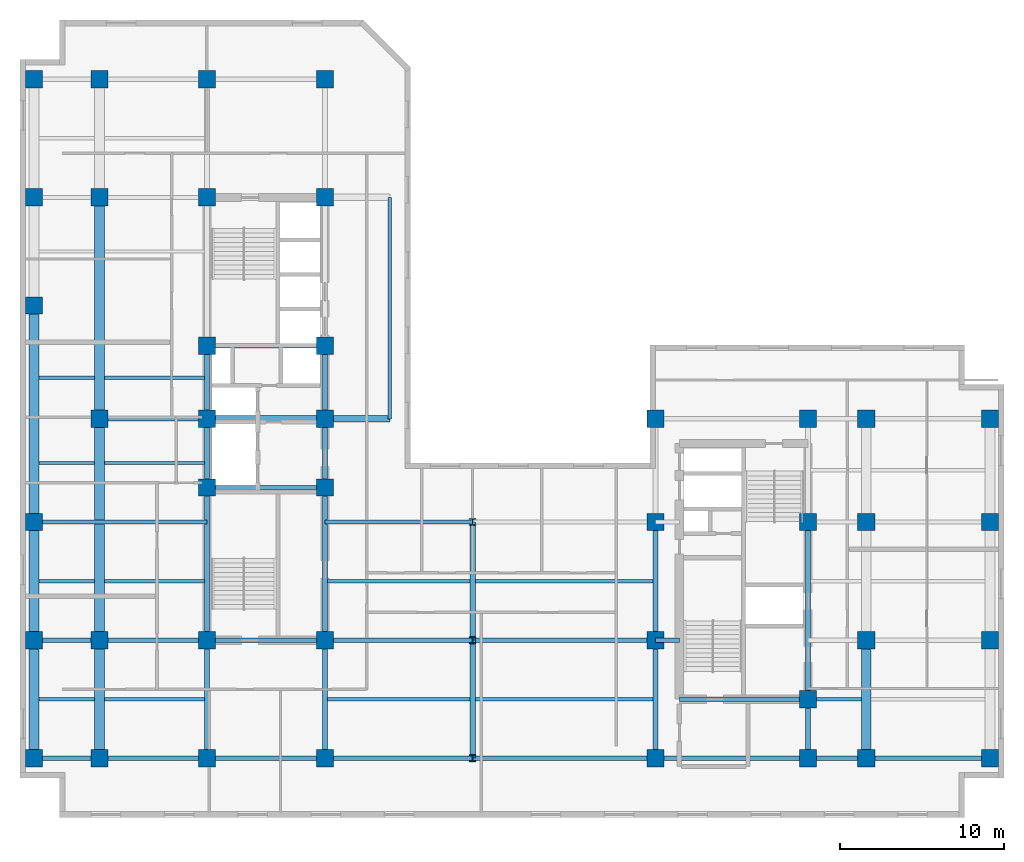
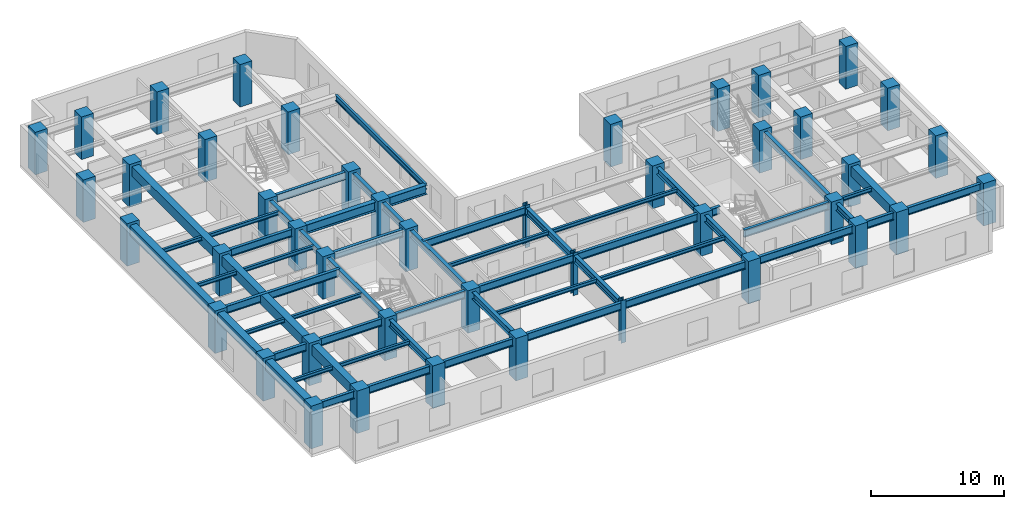
# One storey, part 1 of 9: 56 beams, 44 columns.
"""IFC4 building model written with IfcOpenShell, lengths in metres."""

from ifc_helpers import new_model, entity, si_unit, converted_unit, direction, frame, origin_with_axes, origin_2d_with_axis, place, context, subcontext, project, spatial, rectangle, i_section, extrude, material, material_profile, profile_set, type_object, element, save


model = new_model("IFC4")

# Units and contexts
model_context = context("Model", 3, precision=1e-05, world=origin_with_axes(), true_north=direction((0.0, 1.0)))
body_context = subcontext(model_context, "Body", "Model", "MODEL_VIEW")
ifc_project = project(units=[si_unit("LENGTHUNIT", "METRE"), si_unit("AREAUNIT", "SQUARE_METRE"), si_unit("VOLUMEUNIT", "CUBIC_METRE"), converted_unit("PLANEANGLEUNIT", "DEGREE", entity("IfcPlaneAngleMeasure", 0.017453292519943295), si_unit("PLANEANGLEUNIT", "RADIAN"), dimensions=[0, 0, 0, 0, 0, 0, 0]), si_unit("MASSUNIT", "GRAM", prefix="KILO"), si_unit("THERMODYNAMICTEMPERATUREUNIT", "KELVIN")], contexts=[model_context])

# Site, building, storey
site_placement = place(None, origin_with_axes())
site = spatial("IfcSite", under=ifc_project, at=site_placement, CompositionType="ELEMENT")
building_placement = place(site_placement, origin_with_axes())
building = spatial("IfcBuilding", under=site, at=building_placement, Name="Varnlund Millrace Tower", CompositionType="ELEMENT")
storey_placement = place(building_placement, frame((0.0, 0.0, 164.1), z_axis=(0.0, 0.0, 1.0), x_axis=(1.0, 0.0, 0.0)))
storey = spatial("IfcBuildingStorey", under=building, at=storey_placement, Name="L40", CompositionType="ELEMENT", Elevation=164.1)

# Columns
ifc_material_1 = material(Name="Steel ASTM A913 Grade 65", Category="steel")
ifc_material_profile_1 = material_profile(ifc_material_1, i_section(OverallWidth=0.406, OverallDepth=0.416, WebThickness=0.0298, FlangeThickness=0.048, FilletRadius=0.022, at=origin_2d_with_axis()), Name="Steel ASTM A913 Grade 65")
ifc_profile_set_1 = profile_set([ifc_material_profile_1], Name="Steel ASTM A913 Grade 65")
column_type_1 = type_object("IfcColumnType", Name="Type-Col-Int-W14X257", PredefinedType="COLUMN", material=ifc_profile_set_1)
for number, where, z_axis, x_axis, name in (
    (1, (27.6, 3.6, 0.0), (0.0, 0.0, 1.0), (1.0, 0.0, 0.0), "Type-Col-Int-W14X257"),
    (2, (27.6, 10.8, 0.0), (0.0, 0.0, 1.0), (1.0, 0.0, 0.0), "Type-Col-Int-W14X257"),
    (3, (27.6, 18.0, 0.0), (0.0, 0.0, 1.0), (1.0, 0.0, 0.0), "Type-Col-Int-W14X257"),
):
    element("IfcColumn", number, at=place(storey_placement, frame(where, z_axis=z_axis, x_axis=x_axis)), inside=storey, type_object=column_type_1, Name=name, PredefinedType="COLUMN", context=body_context, shape_type="SweptSolid", body=[
        extrude(i_section(OverallWidth=0.406, OverallDepth=0.416, WebThickness=0.0298, FlangeThickness=0.048, FilletRadius=0.022, at=origin_2d_with_axis()), origin_with_axes(), (0.0, 0.0, 1.0), 3.9),
    ])
ifc_material_2 = material(Name="Concrete C70/85", Category="concrete")
ifc_material_profile_2 = material_profile(ifc_material_2, rectangle(XDim=1.05, YDim=1.05, at=origin_2d_with_axis()), Name="Concrete C70/85")
ifc_profile_set_2 = profile_set([ifc_material_profile_2], Name="Concrete C70/85")
column_type_2 = type_object("IfcColumnType", Name="Type-Col-RC1050-C70", PredefinedType="COLUMN", material=ifc_profile_set_2)
for number, where, z_axis, x_axis, name in (
    (4, (11.4, 3.6, 0.0), (0.0, 0.0, 1.0), (1.0, 0.0, 0.0), "Type-Col-RC1050-C70"),
    (5, (11.4, 10.8, 0.0), (0.0, 0.0, 1.0), (1.0, 0.0, 0.0), "Type-Col-RC1050-C70"),
    (6, (11.4, 20.1, 0.0), (0.0, 0.0, 1.0), (1.0, 0.0, 0.0), "Type-Col-RC1050-C70"),
    (7, (11.4, 24.3, 0.0), (0.0, 0.0, 1.0), (1.0, 0.0, 0.0), "Type-Col-RC1050-C70"),
    (8, (11.4, 28.75, 0.0), (0.0, 0.0, 1.0), (1.0, 0.0, 0.0), "Type-Col-RC1050-C70"),
    (9, (11.4, 37.8, 0.0), (0.0, 0.0, 1.0), (1.0, 0.0, 0.0), "Type-Col-RC1050-C70"),
    (10, (11.4, 45.0, 0.0), (0.0, 0.0, 1.0), (1.0, 0.0, 0.0), "Type-Col-RC1050-C70"),
    (11, (18.6, 3.6, 0.0), (0.0, 0.0, 1.0), (1.0, 0.0, 0.0), "Type-Col-RC1050-C70"),
    (12, (18.6, 10.8, 0.0), (0.0, 0.0, 1.0), (1.0, 0.0, 0.0), "Type-Col-RC1050-C70"),
    (13, (18.6, 20.1, 0.0), (0.0, 0.0, 1.0), (1.0, 0.0, 0.0), "Type-Col-RC1050-C70"),
    (14, (18.6, 24.3, 0.0), (0.0, 0.0, 1.0), (1.0, 0.0, 0.0), "Type-Col-RC1050-C70"),
    (15, (18.6, 28.75, 0.0), (0.0, 0.0, 1.0), (1.0, 0.0, 0.0), "Type-Col-RC1050-C70"),
    (16, (18.6, 37.8, 0.0), (0.0, 0.0, 1.0), (1.0, 0.0, 0.0), "Type-Col-RC1050-C70"),
    (17, (18.6, 45.0, 0.0), (0.0, 0.0, 1.0), (1.0, 0.0, 0.0), "Type-Col-RC1050-C70"),
    (18, (4.85, 3.6, 0.0), (0.0, 0.0, 1.0), (1.0, 0.0, 0.0), "Type-Col-RC1050-C70"),
    (19, (4.85, 10.8, 0.0), (0.0, 0.0, 1.0), (1.0, 0.0, 0.0), "Type-Col-RC1050-C70"),
    (20, (4.85, 24.3, 0.0), (0.0, 0.0, 1.0), (1.0, 0.0, 0.0), "Type-Col-RC1050-C70"),
    (21, (4.85, 37.8, 0.0), (0.0, 0.0, 1.0), (1.0, 0.0, 0.0), "Type-Col-RC1050-C70"),
    (22, (4.85, 45.0, 0.0), (0.0, 0.0, 1.0), (1.0, 0.0, 0.0), "Type-Col-RC1050-C70"),
    (23, (0.85, 3.6, 0.0), (0.0, 0.0, 1.0), (1.0, 0.0, 0.0), "Type-Col-RC1050-C70"),
    (24, (0.85, 10.8, 0.0), (0.0, 0.0, 1.0), (1.0, 0.0, 0.0), "Type-Col-RC1050-C70"),
    (25, (0.85, 18.0, 0.0), (0.0, 0.0, 1.0), (1.0, 0.0, 0.0), "Type-Col-RC1050-C70"),
    (26, (0.85, 31.2, 0.0), (0.0, 0.0, 1.0), (1.0, 0.0, 0.0), "Type-Col-RC1050-C70"),
    (27, (0.85, 37.8, 0.0), (0.0, 0.0, 1.0), (1.0, 0.0, 0.0), "Type-Col-RC1050-C70"),
    (28, (0.85, 45.0, 0.0), (0.0, 0.0, 1.0), (1.0, 0.0, 0.0), "Type-Col-RC1050-C70"),
    (29, (38.75, 3.6, 0.0), (0.0, 0.0, 1.0), (1.0, 0.0, 0.0), "Type-Col-RC1050-C70"),
    (30, (38.75, 10.8, 0.0), (0.0, 0.0, 1.0), (1.0, 0.0, 0.0), "Type-Col-RC1050-C70"),
    (31, (38.75, 18.0, 0.0), (0.0, 0.0, 1.0), (1.0, 0.0, 0.0), "Type-Col-RC1050-C70"),
    (32, (38.75, 24.3, 0.0), (0.0, 0.0, 1.0), (1.0, 0.0, 0.0), "Type-Col-RC1050-C70"),
    (33, (48.05, 3.6, 0.0), (0.0, 0.0, 1.0), (1.0, 0.0, 0.0), "Type-Col-RC1050-C70"),
    (34, (48.05, 7.2, 0.0), (0.0, 0.0, 1.0), (1.0, 0.0, 0.0), "Type-Col-RC1050-C70"),
    (35, (48.05, 18.0, 0.0), (0.0, 0.0, 1.0), (1.0, 0.0, 0.0), "Type-Col-RC1050-C70"),
    (36, (48.05, 24.3, 0.0), (0.0, 0.0, 1.0), (1.0, 0.0, 0.0), "Type-Col-RC1050-C70"),
    (37, (51.6, 3.6, 0.0), (0.0, 0.0, 1.0), (1.0, 0.0, 0.0), "Type-Col-RC1050-C70"),
    (38, (51.6, 10.8, 0.0), (0.0, 0.0, 1.0), (1.0, 0.0, 0.0), "Type-Col-RC1050-C70"),
    (39, (51.6, 18.0, 0.0), (0.0, 0.0, 1.0), (1.0, 0.0, 0.0), "Type-Col-RC1050-C70"),
    (40, (51.6, 24.3, 0.0), (0.0, 0.0, 1.0), (1.0, 0.0, 0.0), "Type-Col-RC1050-C70"),
    (41, (59.15, 3.6, 0.0), (0.0, 0.0, 1.0), (1.0, 0.0, 0.0), "Type-Col-RC1050-C70"),
    (42, (59.15, 10.8, 0.0), (0.0, 0.0, 1.0), (1.0, 0.0, 0.0), "Type-Col-RC1050-C70"),
    (43, (59.15, 18.0, 0.0), (0.0, 0.0, 1.0), (1.0, 0.0, 0.0), "Type-Col-RC1050-C70"),
    (44, (59.15, 24.3, 0.0), (0.0, 0.0, 1.0), (1.0, 0.0, 0.0), "Type-Col-RC1050-C70"),
):
    element("IfcColumn", number, at=place(storey_placement, frame(where, z_axis=z_axis, x_axis=x_axis)), inside=storey, type_object=column_type_2, Name=name, PredefinedType="COLUMN", context=body_context, shape_type="SweptSolid", body=[
        extrude(rectangle(XDim=1.05, YDim=1.05, at=origin_2d_with_axis()), origin_with_axes(), (0.0, 0.0, 1.0), 3.9),
    ])

# Beams
ifc_material_3 = material(Name="Steel ASTM A992 Grade 50", Category="steel")
ifc_material_profile_3 = material_profile(ifc_material_3, i_section(OverallWidth=0.209, OverallDepth=0.533, WebThickness=0.0102, FlangeThickness=0.0156, FilletRadius=0.014, at=origin_2d_with_axis()), Name="Steel ASTM A992 Grade 50")
ifc_profile_set_3 = profile_set([ifc_material_profile_3], Name="Steel ASTM A992 Grade 50")
beam_type_1 = type_object("IfcBeamType", Name="Type-Beam-W21X62", PredefinedType="BEAM", material=ifc_profile_set_3)
beam_1_placement = place(storey_placement, frame((22.55, 24.3, 3.3935), z_axis=(0.0, 1.0, 0.0), x_axis=(-1.0, 0.0, 0.0)))
element("IfcBeam", 45, at=beam_1_placement, inside=storey, type_object=beam_type_1, Name="Type-Beam-W21X62", PredefinedType="BEAM", context=body_context, shape_type="SweptSolid", body=[
    extrude(i_section(OverallWidth=0.209, OverallDepth=0.533, WebThickness=0.0102, FlangeThickness=0.0156, FilletRadius=0.014, at=origin_2d_with_axis()), origin_with_axes(), (0.0, 0.0, 1.0), 13.5),
])
ifc_material_profile_4 = material_profile(ifc_material_3, i_section(OverallWidth=0.328, OverallDepth=0.628, WebThickness=0.0165, FlangeThickness=0.0277, FilletRadius=0.018, at=origin_2d_with_axis()), Name="Steel ASTM A992 Grade 50")
ifc_profile_set_4 = profile_set([ifc_material_profile_4], Name="Steel ASTM A992 Grade 50")
beam_type_2 = type_object("IfcBeamType", Name="Type-Girder-W24X146", PredefinedType="USERDEFINED", material=ifc_profile_set_4)
beam_2_placement = place(storey_placement, frame((11.4, 3.6, 3.346), z_axis=(0.0, 1.0, 0.0), x_axis=(-1.0, 0.0, 0.0)))
element("IfcBeam", 46, at=beam_2_placement, inside=storey, type_object=beam_type_2, Name="Type-Girder-W24X146", ObjectType="GIRDER", PredefinedType="USERDEFINED", context=body_context, shape_type="SweptSolid", body=[
    extrude(i_section(OverallWidth=0.328, OverallDepth=0.628, WebThickness=0.0165, FlangeThickness=0.0277, FilletRadius=0.018, at=origin_2d_with_axis()), origin_with_axes(), (0.0, 0.0, 1.0), 7.2),
])
beam_3_placement = place(storey_placement, frame((11.4, 10.8, 3.346), z_axis=(0.0, 1.0, 0.0), x_axis=(-1.0, 0.0, 0.0)))
element("IfcBeam", 47, at=beam_3_placement, inside=storey, type_object=beam_type_2, Name="Type-Girder-W24X146", ObjectType="GIRDER", PredefinedType="USERDEFINED", context=body_context, shape_type="SweptSolid", body=[
    extrude(i_section(OverallWidth=0.328, OverallDepth=0.628, WebThickness=0.0165, FlangeThickness=0.0277, FilletRadius=0.018, at=origin_2d_with_axis()), origin_with_axes(), (0.0, 0.0, 1.0), 9.3),
])
beam_4_placement = place(storey_placement, frame((11.4, 20.1, 3.346), z_axis=(0.0, 1.0, 0.0), x_axis=(-1.0, 0.0, 0.0)))
element("IfcBeam", 48, at=beam_4_placement, inside=storey, type_object=beam_type_2, Name="Type-Girder-W24X146", ObjectType="GIRDER", PredefinedType="USERDEFINED", context=body_context, shape_type="SweptSolid", body=[
    extrude(i_section(OverallWidth=0.328, OverallDepth=0.628, WebThickness=0.0165, FlangeThickness=0.0277, FilletRadius=0.018, at=origin_2d_with_axis()), origin_with_axes(), (0.0, 0.0, 1.0), 4.2),
])
beam_5_placement = place(storey_placement, frame((11.4, 24.3, 3.346), z_axis=(0.0, 1.0, 0.0), x_axis=(-1.0, 0.0, 0.0)))
element("IfcBeam", 49, at=beam_5_placement, inside=storey, type_object=beam_type_2, Name="Type-Girder-W24X146", ObjectType="GIRDER", PredefinedType="USERDEFINED", context=body_context, shape_type="SweptSolid", body=[
    extrude(i_section(OverallWidth=0.328, OverallDepth=0.628, WebThickness=0.0165, FlangeThickness=0.0277, FilletRadius=0.018, at=origin_2d_with_axis()), origin_with_axes(), (0.0, 0.0, 1.0), 4.45),
])
beam_6_placement = place(storey_placement, frame((18.6, 3.6, 3.346), z_axis=(0.0, 1.0, 0.0), x_axis=(-1.0, 0.0, 0.0)))
element("IfcBeam", 50, at=beam_6_placement, inside=storey, type_object=beam_type_2, Name="Type-Girder-W24X146", ObjectType="GIRDER", PredefinedType="USERDEFINED", context=body_context, shape_type="SweptSolid", body=[
    extrude(i_section(OverallWidth=0.328, OverallDepth=0.628, WebThickness=0.0165, FlangeThickness=0.0277, FilletRadius=0.018, at=origin_2d_with_axis()), origin_with_axes(), (0.0, 0.0, 1.0), 7.2),
])
beam_7_placement = place(storey_placement, frame((18.6, 10.8, 3.346), z_axis=(0.0, 1.0, 0.0), x_axis=(-1.0, 0.0, 0.0)))
element("IfcBeam", 51, at=beam_7_placement, inside=storey, type_object=beam_type_2, Name="Type-Girder-W24X146", ObjectType="GIRDER", PredefinedType="USERDEFINED", context=body_context, shape_type="SweptSolid", body=[
    extrude(i_section(OverallWidth=0.328, OverallDepth=0.628, WebThickness=0.0165, FlangeThickness=0.0277, FilletRadius=0.018, at=origin_2d_with_axis()), origin_with_axes(), (0.0, 0.0, 1.0), 9.3),
])
beam_8_placement = place(storey_placement, frame((18.6, 20.1, 3.346), z_axis=(0.0, 1.0, 0.0), x_axis=(-1.0, 0.0, 0.0)))
element("IfcBeam", 52, at=beam_8_placement, inside=storey, type_object=beam_type_2, Name="Type-Girder-W24X146", ObjectType="GIRDER", PredefinedType="USERDEFINED", context=body_context, shape_type="SweptSolid", body=[
    extrude(i_section(OverallWidth=0.328, OverallDepth=0.628, WebThickness=0.0165, FlangeThickness=0.0277, FilletRadius=0.018, at=origin_2d_with_axis()), origin_with_axes(), (0.0, 0.0, 1.0), 4.2),
])
beam_9_placement = place(storey_placement, frame((18.6, 24.3, 3.346), z_axis=(0.0, 1.0, 0.0), x_axis=(-1.0, 0.0, 0.0)))
element("IfcBeam", 53, at=beam_9_placement, inside=storey, type_object=beam_type_2, Name="Type-Girder-W24X146", ObjectType="GIRDER", PredefinedType="USERDEFINED", context=body_context, shape_type="SweptSolid", body=[
    extrude(i_section(OverallWidth=0.328, OverallDepth=0.628, WebThickness=0.0165, FlangeThickness=0.0277, FilletRadius=0.018, at=origin_2d_with_axis()), origin_with_axes(), (0.0, 0.0, 1.0), 4.45),
])
for number, where, z_axis, x_axis, name in (
    (54, (27.6, 3.6, 3.346), (0.0, 1.0, 0.0), (-1.0, 0.0, 0.0), "Type-Girder-W24X146"),
    (55, (27.6, 10.8, 3.346), (0.0, 1.0, 0.0), (-1.0, 0.0, 0.0), "Type-Girder-W24X146"),
    (56, (38.75, 3.6, 3.346), (0.0, 1.0, 0.0), (-1.0, 0.0, 0.0), "Type-Girder-W24X146"),
    (57, (38.75, 10.8, 3.346), (0.0, 1.0, 0.0), (-1.0, 0.0, 0.0), "Type-Girder-W24X146"),
):
    element("IfcBeam", number, at=place(storey_placement, frame(where, z_axis=z_axis, x_axis=x_axis)), inside=storey, type_object=beam_type_2, Name=name, ObjectType="GIRDER", PredefinedType="USERDEFINED", context=body_context, shape_type="SweptSolid", body=[
        extrude(i_section(OverallWidth=0.328, OverallDepth=0.628, WebThickness=0.0165, FlangeThickness=0.0277, FilletRadius=0.018, at=origin_2d_with_axis()), origin_with_axes(), (0.0, 0.0, 1.0), 7.2),
    ])
beam_10_placement = place(storey_placement, frame((48.05, 3.6, 3.346), z_axis=(0.0, 1.0, 0.0), x_axis=(-1.0, 0.0, 0.0)))
element("IfcBeam", 58, at=beam_10_placement, inside=storey, type_object=beam_type_2, Name="Type-Girder-W24X146", ObjectType="GIRDER", PredefinedType="USERDEFINED", context=body_context, shape_type="SweptSolid", body=[
    extrude(i_section(OverallWidth=0.328, OverallDepth=0.628, WebThickness=0.0165, FlangeThickness=0.0277, FilletRadius=0.018, at=origin_2d_with_axis()), origin_with_axes(), (0.0, 0.0, 1.0), 3.6),
])
beam_11_placement = place(storey_placement, frame((48.05, 7.2, 3.346), z_axis=(0.0, 1.0, 0.0), x_axis=(-1.0, 0.0, 0.0)))
element("IfcBeam", 59, at=beam_11_placement, inside=storey, type_object=beam_type_2, Name="Type-Girder-W24X146", ObjectType="GIRDER", PredefinedType="USERDEFINED", context=body_context, shape_type="SweptSolid", body=[
    extrude(i_section(OverallWidth=0.328, OverallDepth=0.628, WebThickness=0.0165, FlangeThickness=0.0277, FilletRadius=0.018, at=origin_2d_with_axis()), origin_with_axes(), (0.0, 0.0, 1.0), 10.8),
])
ifc_material_profile_5 = material_profile(ifc_material_3, i_section(OverallWidth=0.256, OverallDepth=0.693, WebThickness=0.0145, FlangeThickness=0.0236, FilletRadius=0.018, at=origin_2d_with_axis()), Name="Steel ASTM A992 Grade 50")
ifc_profile_set_5 = profile_set([ifc_material_profile_5], Name="Steel ASTM A992 Grade 50")
beam_type_3 = type_object("IfcBeamType", Name="Type-Girder-W27X114", PredefinedType="USERDEFINED", material=ifc_profile_set_5)
beam_12_placement = place(storey_placement, frame((0.85, 3.6, 3.3135), z_axis=(1.0, 0.0, 0.0), x_axis=(0.0, 1.0, 0.0)))
element("IfcBeam", 60, at=beam_12_placement, inside=storey, type_object=beam_type_3, Name="Type-Girder-W27X114", ObjectType="GIRDER", PredefinedType="USERDEFINED", context=body_context, shape_type="SweptSolid", body=[
    extrude(i_section(OverallWidth=0.256, OverallDepth=0.693, WebThickness=0.0145, FlangeThickness=0.0236, FilletRadius=0.018, at=origin_2d_with_axis()), origin_with_axes(), (0.0, 0.0, 1.0), 4.0),
])
beam_13_placement = place(storey_placement, frame((4.85, 3.6, 3.3135), z_axis=(1.0, 0.0, 0.0), x_axis=(0.0, 1.0, 0.0)))
element("IfcBeam", 61, at=beam_13_placement, inside=storey, type_object=beam_type_3, Name="Type-Girder-W27X114", ObjectType="GIRDER", PredefinedType="USERDEFINED", context=body_context, shape_type="SweptSolid", body=[
    extrude(i_section(OverallWidth=0.256, OverallDepth=0.693, WebThickness=0.0145, FlangeThickness=0.0236, FilletRadius=0.018, at=origin_2d_with_axis()), origin_with_axes(), (0.0, 0.0, 1.0), 6.55),
])
beam_14_placement = place(storey_placement, frame((11.4, 3.6, 3.3135), z_axis=(1.0, 0.0, 0.0), x_axis=(0.0, 1.0, 0.0)))
element("IfcBeam", 62, at=beam_14_placement, inside=storey, type_object=beam_type_3, Name="Type-Girder-W27X114", ObjectType="GIRDER", PredefinedType="USERDEFINED", context=body_context, shape_type="SweptSolid", body=[
    extrude(i_section(OverallWidth=0.256, OverallDepth=0.693, WebThickness=0.0145, FlangeThickness=0.0236, FilletRadius=0.018, at=origin_2d_with_axis()), origin_with_axes(), (0.0, 0.0, 1.0), 7.2),
])
beam_15_placement = place(storey_placement, frame((18.6, 3.6, 3.3135), z_axis=(1.0, 0.0, 0.0), x_axis=(0.0, 1.0, 0.0)))
element("IfcBeam", 63, at=beam_15_placement, inside=storey, type_object=beam_type_3, Name="Type-Girder-W27X114", ObjectType="GIRDER", PredefinedType="USERDEFINED", context=body_context, shape_type="SweptSolid", body=[
    extrude(i_section(OverallWidth=0.256, OverallDepth=0.693, WebThickness=0.0145, FlangeThickness=0.0236, FilletRadius=0.018, at=origin_2d_with_axis()), origin_with_axes(), (0.0, 0.0, 1.0), 9.0),
])
beam_16_placement = place(storey_placement, frame((27.6, 3.6, 3.3135), z_axis=(1.0, 0.0, 0.0), x_axis=(0.0, 1.0, 0.0)))
element("IfcBeam", 64, at=beam_16_placement, inside=storey, type_object=beam_type_3, Name="Type-Girder-W27X114", ObjectType="GIRDER", PredefinedType="USERDEFINED", context=body_context, shape_type="SweptSolid", body=[
    extrude(i_section(OverallWidth=0.256, OverallDepth=0.693, WebThickness=0.0145, FlangeThickness=0.0236, FilletRadius=0.018, at=origin_2d_with_axis()), origin_with_axes(), (0.0, 0.0, 1.0), 11.15),
])
beam_17_placement = place(storey_placement, frame((38.75, 3.6, 3.3135), z_axis=(1.0, 0.0, 0.0), x_axis=(0.0, 1.0, 0.0)))
element("IfcBeam", 65, at=beam_17_placement, inside=storey, type_object=beam_type_3, Name="Type-Girder-W27X114", ObjectType="GIRDER", PredefinedType="USERDEFINED", context=body_context, shape_type="SweptSolid", body=[
    extrude(i_section(OverallWidth=0.256, OverallDepth=0.693, WebThickness=0.0145, FlangeThickness=0.0236, FilletRadius=0.018, at=origin_2d_with_axis()), origin_with_axes(), (0.0, 0.0, 1.0), 9.3),
])
beam_18_placement = place(storey_placement, frame((48.05, 3.6, 3.3135), z_axis=(1.0, 0.0, 0.0), x_axis=(0.0, 1.0, 0.0)))
element("IfcBeam", 66, at=beam_18_placement, inside=storey, type_object=beam_type_3, Name="Type-Girder-W27X114", ObjectType="GIRDER", PredefinedType="USERDEFINED", context=body_context, shape_type="SweptSolid", body=[
    extrude(i_section(OverallWidth=0.256, OverallDepth=0.693, WebThickness=0.0145, FlangeThickness=0.0236, FilletRadius=0.018, at=origin_2d_with_axis()), origin_with_axes(), (0.0, 0.0, 1.0), 3.55),
])
beam_19_placement = place(storey_placement, frame((51.6, 3.6, 3.3135), z_axis=(1.0, 0.0, 0.0), x_axis=(0.0, 1.0, 0.0)))
element("IfcBeam", 67, at=beam_19_placement, inside=storey, type_object=beam_type_3, Name="Type-Girder-W27X114", ObjectType="GIRDER", PredefinedType="USERDEFINED", context=body_context, shape_type="SweptSolid", body=[
    extrude(i_section(OverallWidth=0.256, OverallDepth=0.693, WebThickness=0.0145, FlangeThickness=0.0236, FilletRadius=0.018, at=origin_2d_with_axis()), origin_with_axes(), (0.0, 0.0, 1.0), 7.55),
])
beam_20_placement = place(storey_placement, frame((40.2, 7.2, 3.3135), z_axis=(1.0, 0.0, 0.0), x_axis=(0.0, 1.0, 0.0)))
element("IfcBeam", 68, at=beam_20_placement, inside=storey, type_object=beam_type_3, Name="Type-Girder-W27X114", ObjectType="GIRDER", PredefinedType="USERDEFINED", context=body_context, shape_type="SweptSolid", body=[
    extrude(i_section(OverallWidth=0.256, OverallDepth=0.693, WebThickness=0.0145, FlangeThickness=0.0236, FilletRadius=0.018, at=origin_2d_with_axis()), origin_with_axes(), (0.0, 0.0, 1.0), 7.85),
])
beam_21_placement = place(storey_placement, frame((0.85, 10.8, 3.3135), z_axis=(1.0, 0.0, 0.0), x_axis=(0.0, 1.0, 0.0)))
element("IfcBeam", 69, at=beam_21_placement, inside=storey, type_object=beam_type_3, Name="Type-Girder-W27X114", ObjectType="GIRDER", PredefinedType="USERDEFINED", context=body_context, shape_type="SweptSolid", body=[
    extrude(i_section(OverallWidth=0.256, OverallDepth=0.693, WebThickness=0.0145, FlangeThickness=0.0236, FilletRadius=0.018, at=origin_2d_with_axis()), origin_with_axes(), (0.0, 0.0, 1.0), 4.0),
])
beam_22_placement = place(storey_placement, frame((4.85, 10.8, 3.3135), z_axis=(1.0, 0.0, 0.0), x_axis=(0.0, 1.0, 0.0)))
element("IfcBeam", 70, at=beam_22_placement, inside=storey, type_object=beam_type_3, Name="Type-Girder-W27X114", ObjectType="GIRDER", PredefinedType="USERDEFINED", context=body_context, shape_type="SweptSolid", body=[
    extrude(i_section(OverallWidth=0.256, OverallDepth=0.693, WebThickness=0.0145, FlangeThickness=0.0236, FilletRadius=0.018, at=origin_2d_with_axis()), origin_with_axes(), (0.0, 0.0, 1.0), 6.55),
])
beam_23_placement = place(storey_placement, frame((11.4, 10.8, 3.3135), z_axis=(1.0, 0.0, 0.0), x_axis=(0.0, 1.0, 0.0)))
element("IfcBeam", 71, at=beam_23_placement, inside=storey, type_object=beam_type_3, Name="Type-Girder-W27X114", ObjectType="GIRDER", PredefinedType="USERDEFINED", context=body_context, shape_type="SweptSolid", body=[
    extrude(i_section(OverallWidth=0.256, OverallDepth=0.693, WebThickness=0.0145, FlangeThickness=0.0236, FilletRadius=0.018, at=origin_2d_with_axis()), origin_with_axes(), (0.0, 0.0, 1.0), 7.2),
])
beam_24_placement = place(storey_placement, frame((18.6, 10.8, 3.3135), z_axis=(1.0, 0.0, 0.0), x_axis=(0.0, 1.0, 0.0)))
element("IfcBeam", 72, at=beam_24_placement, inside=storey, type_object=beam_type_3, Name="Type-Girder-W27X114", ObjectType="GIRDER", PredefinedType="USERDEFINED", context=body_context, shape_type="SweptSolid", body=[
    extrude(i_section(OverallWidth=0.256, OverallDepth=0.693, WebThickness=0.0145, FlangeThickness=0.0236, FilletRadius=0.018, at=origin_2d_with_axis()), origin_with_axes(), (0.0, 0.0, 1.0), 9.0),
])
beam_25_placement = place(storey_placement, frame((27.6, 10.8, 3.3135), z_axis=(1.0, 0.0, 0.0), x_axis=(0.0, 1.0, 0.0)))
element("IfcBeam", 73, at=beam_25_placement, inside=storey, type_object=beam_type_3, Name="Type-Girder-W27X114", ObjectType="GIRDER", PredefinedType="USERDEFINED", context=body_context, shape_type="SweptSolid", body=[
    extrude(i_section(OverallWidth=0.256, OverallDepth=0.693, WebThickness=0.0145, FlangeThickness=0.0236, FilletRadius=0.018, at=origin_2d_with_axis()), origin_with_axes(), (0.0, 0.0, 1.0), 11.15),
])
beam_26_placement = place(storey_placement, frame((38.75, 10.8, 3.3135), z_axis=(1.0, 0.0, 0.0), x_axis=(0.0, 1.0, 0.0)))
element("IfcBeam", 74, at=beam_26_placement, inside=storey, type_object=beam_type_3, Name="Type-Girder-W27X114", ObjectType="GIRDER", PredefinedType="USERDEFINED", context=body_context, shape_type="SweptSolid", body=[
    extrude(i_section(OverallWidth=0.256, OverallDepth=0.693, WebThickness=0.0145, FlangeThickness=0.0236, FilletRadius=0.018, at=origin_2d_with_axis()), origin_with_axes(), (0.0, 0.0, 1.0), 1.45),
])
beam_27_placement = place(storey_placement, frame((0.85, 18.0, 3.3135), z_axis=(1.0, 0.0, 0.0), x_axis=(0.0, 1.0, 0.0)))
element("IfcBeam", 75, at=beam_27_placement, inside=storey, type_object=beam_type_3, Name="Type-Girder-W27X114", ObjectType="GIRDER", PredefinedType="USERDEFINED", context=body_context, shape_type="SweptSolid", body=[
    extrude(i_section(OverallWidth=0.256, OverallDepth=0.693, WebThickness=0.0145, FlangeThickness=0.0236, FilletRadius=0.018, at=origin_2d_with_axis()), origin_with_axes(), (0.0, 0.0, 1.0), 10.55),
])
beam_28_placement = place(storey_placement, frame((18.6, 18.0, 3.3135), z_axis=(1.0, 0.0, 0.0), x_axis=(0.0, 1.0, 0.0)))
element("IfcBeam", 76, at=beam_28_placement, inside=storey, type_object=beam_type_3, Name="Type-Girder-W27X114", ObjectType="GIRDER", PredefinedType="USERDEFINED", context=body_context, shape_type="SweptSolid", body=[
    extrude(i_section(OverallWidth=0.256, OverallDepth=0.693, WebThickness=0.0145, FlangeThickness=0.0236, FilletRadius=0.018, at=origin_2d_with_axis()), origin_with_axes(), (0.0, 0.0, 1.0), 9.0),
])
beam_29_placement = place(storey_placement, frame((11.4, 20.1, 3.3135), z_axis=(1.0, 0.0, 0.0), x_axis=(0.0, 1.0, 0.0)))
element("IfcBeam", 77, at=beam_29_placement, inside=storey, type_object=beam_type_3, Name="Type-Girder-W27X114", ObjectType="GIRDER", PredefinedType="USERDEFINED", context=body_context, shape_type="SweptSolid", body=[
    extrude(i_section(OverallWidth=0.256, OverallDepth=0.693, WebThickness=0.0145, FlangeThickness=0.0236, FilletRadius=0.018, at=origin_2d_with_axis()), origin_with_axes(), (0.0, 0.0, 1.0), 7.2),
])
beam_30_placement = place(storey_placement, frame((4.85, 24.3, 3.3135), z_axis=(1.0, 0.0, 0.0), x_axis=(0.0, 1.0, 0.0)))
element("IfcBeam", 78, at=beam_30_placement, inside=storey, type_object=beam_type_3, Name="Type-Girder-W27X114", ObjectType="GIRDER", PredefinedType="USERDEFINED", context=body_context, shape_type="SweptSolid", body=[
    extrude(i_section(OverallWidth=0.256, OverallDepth=0.693, WebThickness=0.0145, FlangeThickness=0.0236, FilletRadius=0.018, at=origin_2d_with_axis()), origin_with_axes(), (0.0, 0.0, 1.0), 6.55),
])
beam_31_placement = place(storey_placement, frame((11.4, 28.75, 3.3135), z_axis=(1.0, 0.0, 0.0), x_axis=(0.0, 1.0, 0.0)))
element("IfcBeam", 79, at=beam_31_placement, inside=storey, type_object=beam_type_3, Name="Type-Girder-W27X114", ObjectType="GIRDER", PredefinedType="USERDEFINED", context=body_context, shape_type="SweptSolid", body=[
    extrude(i_section(OverallWidth=0.256, OverallDepth=0.693, WebThickness=0.0145, FlangeThickness=0.0236, FilletRadius=0.018, at=origin_2d_with_axis()), origin_with_axes(), (0.0, 0.0, 1.0), 7.2),
])
ifc_material_profile_6 = material_profile(ifc_material_3, i_section(OverallWidth=0.399, OverallDepth=0.855, WebThickness=0.0182, FlangeThickness=0.0292, FilletRadius=0.022, at=origin_2d_with_axis()), Name="Steel ASTM A992 Grade 50")
ifc_profile_set_6 = profile_set([ifc_material_profile_6], Name="Steel ASTM A992 Grade 50")
beam_type_4 = type_object("IfcBeamType", Name="Type-Girder-W33X201", PredefinedType="USERDEFINED", material=ifc_profile_set_6)
beam_32_placement = place(storey_placement, frame((11.4, 24.3, 3.2325), z_axis=(1.0, 0.0, 0.0), x_axis=(0.0, 1.0, 0.0)))
element("IfcBeam", 80, at=beam_32_placement, inside=storey, type_object=beam_type_4, Name="Type-Girder-W33X201", ObjectType="GIRDER", PredefinedType="USERDEFINED", context=body_context, shape_type="SweptSolid", body=[
    extrude(i_section(OverallWidth=0.399, OverallDepth=0.855, WebThickness=0.0182, FlangeThickness=0.0292, FilletRadius=0.022, at=origin_2d_with_axis()), origin_with_axes(), (0.0, 0.0, 1.0), 11.15),
])
ifc_material_profile_7 = material_profile(ifc_material_3, i_section(OverallWidth=0.204, OverallDepth=0.35, WebThickness=0.0086, FlangeThickness=0.0151, FilletRadius=0.013, at=origin_2d_with_axis()), Name="Steel ASTM A992 Grade 50")
ifc_profile_set_7 = profile_set([ifc_material_profile_7], Name="Steel ASTM A992 Grade 50")
beam_type_5 = type_object("IfcBeamType", Name="Type-Joist-W14X48", PredefinedType="JOIST", material=ifc_profile_set_7)
for number, where, z_axis, x_axis, name in (
    (81, (1.15, 7.2, 3.485), (1.0, 0.0, 0.0), (0.0, 1.0, 0.0), "Type-Joist-W14X48"),
    (82, (1.15, 14.4, 3.485), (1.0, 0.0, 0.0), (0.0, 1.0, 0.0), "Type-Joist-W14X48"),
    (83, (1.15, 21.6, 3.485), (1.0, 0.0, 0.0), (0.0, 1.0, 0.0), "Type-Joist-W14X48"),
    (84, (1.15, 26.8, 3.485), (1.0, 0.0, 0.0), (0.0, 1.0, 0.0), "Type-Joist-W14X48"),
):
    element("IfcBeam", number, at=place(storey_placement, frame(where, z_axis=z_axis, x_axis=x_axis)), inside=storey, type_object=beam_type_5, Name=name, PredefinedType="JOIST", context=body_context, shape_type="SweptSolid", body=[
        extrude(i_section(OverallWidth=0.204, OverallDepth=0.35, WebThickness=0.0086, FlangeThickness=0.0151, FilletRadius=0.013, at=origin_2d_with_axis()), origin_with_axes(), (0.0, 0.0, 1.0), 3.4),
    ])
for number, where, z_axis, x_axis, name in (
    (85, (5.15, 7.2, 3.485), (1.0, 0.0, 0.0), (0.0, 1.0, 0.0), "Type-Joist-W14X48"),
    (86, (5.15, 14.4, 3.485), (1.0, 0.0, 0.0), (0.0, 1.0, 0.0), "Type-Joist-W14X48"),
    (87, (5.15, 21.6, 3.485), (1.0, 0.0, 0.0), (0.0, 1.0, 0.0), "Type-Joist-W14X48"),
    (88, (5.15, 26.8, 3.485), (1.0, 0.0, 0.0), (0.0, 1.0, 0.0), "Type-Joist-W14X48"),
):
    element("IfcBeam", number, at=place(storey_placement, frame(where, z_axis=z_axis, x_axis=x_axis)), inside=storey, type_object=beam_type_5, Name=name, PredefinedType="JOIST", context=body_context, shape_type="SweptSolid", body=[
        extrude(i_section(OverallWidth=0.204, OverallDepth=0.35, WebThickness=0.0086, FlangeThickness=0.0151, FilletRadius=0.013, at=origin_2d_with_axis()), origin_with_axes(), (0.0, 0.0, 1.0), 6.086),
    ])
beam_33_placement = place(storey_placement, frame((48.214, 7.2, 3.485), z_axis=(1.0, 0.0, 0.0), x_axis=(0.0, 1.0, 0.0)))
element("IfcBeam", 89, at=beam_33_placement, inside=storey, type_object=beam_type_5, Name="Type-Joist-W14X48", PredefinedType="JOIST", context=body_context, shape_type="SweptSolid", body=[
    extrude(i_section(OverallWidth=0.204, OverallDepth=0.35, WebThickness=0.0086, FlangeThickness=0.0151, FilletRadius=0.013, at=origin_2d_with_axis()), origin_with_axes(), (0.0, 0.0, 1.0), 3.086),
])
for number, where, z_axis, x_axis, name in (
    (90, (18.764, 7.2, 3.485), (1.0, 0.0, 0.0), (0.0, 1.0, 0.0), "Type-Joist-W14X48"),
    (91, (18.764, 14.4, 3.485), (1.0, 0.0, 0.0), (0.0, 1.0, 0.0), "Type-Joist-W14X48"),
):
    element("IfcBeam", number, at=place(storey_placement, frame(where, z_axis=z_axis, x_axis=x_axis)), inside=storey, type_object=beam_type_5, Name=name, PredefinedType="JOIST", context=body_context, shape_type="SweptSolid", body=[
        extrude(i_section(OverallWidth=0.204, OverallDepth=0.35, WebThickness=0.0086, FlangeThickness=0.0151, FilletRadius=0.013, at=origin_2d_with_axis()), origin_with_axes(), (0.0, 0.0, 1.0), 8.672),
    ])
for number, where, z_axis, x_axis, name in (
    (92, (27.764, 7.2, 3.485), (1.0, 0.0, 0.0), (0.0, 1.0, 0.0), "Type-Joist-W14X48"),
    (93, (27.764, 14.4, 3.485), (1.0, 0.0, 0.0), (0.0, 1.0, 0.0), "Type-Joist-W14X48"),
):
    element("IfcBeam", number, at=place(storey_placement, frame(where, z_axis=z_axis, x_axis=x_axis)), inside=storey, type_object=beam_type_5, Name=name, PredefinedType="JOIST", context=body_context, shape_type="SweptSolid", body=[
        extrude(i_section(OverallWidth=0.204, OverallDepth=0.35, WebThickness=0.0086, FlangeThickness=0.0151, FilletRadius=0.013, at=origin_2d_with_axis()), origin_with_axes(), (0.0, 0.0, 1.0), 10.822),
    ])
ifc_material_profile_8 = material_profile(ifc_material_2, rectangle(XDim=0.6, YDim=0.9, at=origin_2d_with_axis()), Name="Concrete C70/85")
ifc_profile_set_8 = profile_set([ifc_material_profile_8], Name="Concrete C70/85")
beam_type_6 = type_object("IfcBeamType", Name="Type-Spandrel-RC600X900", PredefinedType="SPANDREL", material=ifc_profile_set_8)
for number, where, z_axis, x_axis, name in (
    (94, (0.85, 3.6, 3.21), (0.0, 1.0, 0.0), (-1.0, 0.0, 0.0), "Type-Spandrel-RC600X900"),
    (95, (0.85, 10.8, 3.21), (0.0, 1.0, 0.0), (-1.0, 0.0, 0.0), "Type-Spandrel-RC600X900"),
):
    element("IfcBeam", number, at=place(storey_placement, frame(where, z_axis=z_axis, x_axis=x_axis)), inside=storey, type_object=beam_type_6, Name=name, PredefinedType="SPANDREL", context=body_context, shape_type="SweptSolid", body=[
        extrude(rectangle(XDim=0.6, YDim=0.9, at=origin_2d_with_axis()), origin_with_axes(), (0.0, 0.0, 1.0), 7.2),
    ])
beam_34_placement = place(storey_placement, frame((0.85, 18.0, 3.21), z_axis=(0.0, 1.0, 0.0), x_axis=(-1.0, 0.0, 0.0)))
element("IfcBeam", 96, at=beam_34_placement, inside=storey, type_object=beam_type_6, Name="Type-Spandrel-RC600X900", PredefinedType="SPANDREL", context=body_context, shape_type="SweptSolid", body=[
    extrude(rectangle(XDim=0.6, YDim=0.9, at=origin_2d_with_axis()), origin_with_axes(), (0.0, 0.0, 1.0), 13.2),
])
beam_35_placement = place(storey_placement, frame((4.85, 3.6, 3.21), z_axis=(0.0, 1.0, 0.0), x_axis=(-1.0, 0.0, 0.0)))
element("IfcBeam", 97, at=beam_35_placement, inside=storey, type_object=beam_type_6, Name="Type-Spandrel-RC600X900", PredefinedType="SPANDREL", context=body_context, shape_type="SweptSolid", body=[
    extrude(rectangle(XDim=0.6, YDim=0.9, at=origin_2d_with_axis()), origin_with_axes(), (0.0, 0.0, 1.0), 7.2),
])
for number, where, z_axis, x_axis, name in (
    (98, (4.85, 10.8, 3.21), (0.0, 1.0, 0.0), (-1.0, 0.0, 0.0), "Type-Spandrel-RC600X900"),
    (99, (4.85, 24.3, 3.21), (0.0, 1.0, 0.0), (-1.0, 0.0, 0.0), "Type-Spandrel-RC600X900"),
):
    element("IfcBeam", number, at=place(storey_placement, frame(where, z_axis=z_axis, x_axis=x_axis)), inside=storey, type_object=beam_type_6, Name=name, PredefinedType="SPANDREL", context=body_context, shape_type="SweptSolid", body=[
        extrude(rectangle(XDim=0.6, YDim=0.9, at=origin_2d_with_axis()), origin_with_axes(), (0.0, 0.0, 1.0), 13.5),
    ])
beam_36_placement = place(storey_placement, frame((51.6, 3.6, 3.21), z_axis=(0.0, 1.0, 0.0), x_axis=(-1.0, 0.0, 0.0)))
element("IfcBeam", 100, at=beam_36_placement, inside=storey, type_object=beam_type_6, Name="Type-Spandrel-RC600X900", PredefinedType="SPANDREL", context=body_context, shape_type="SweptSolid", body=[
    extrude(rectangle(XDim=0.6, YDim=0.9, at=origin_2d_with_axis()), origin_with_axes(), (0.0, 0.0, 1.0), 7.2),
])

save(model, "model.ifc")
